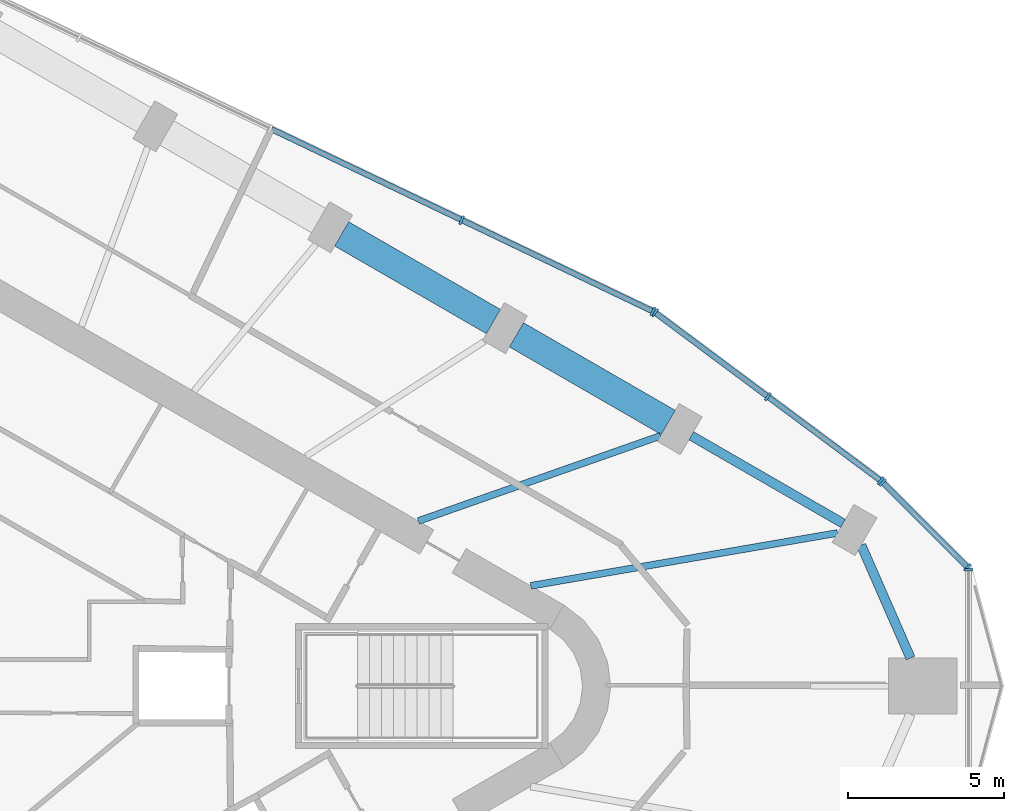
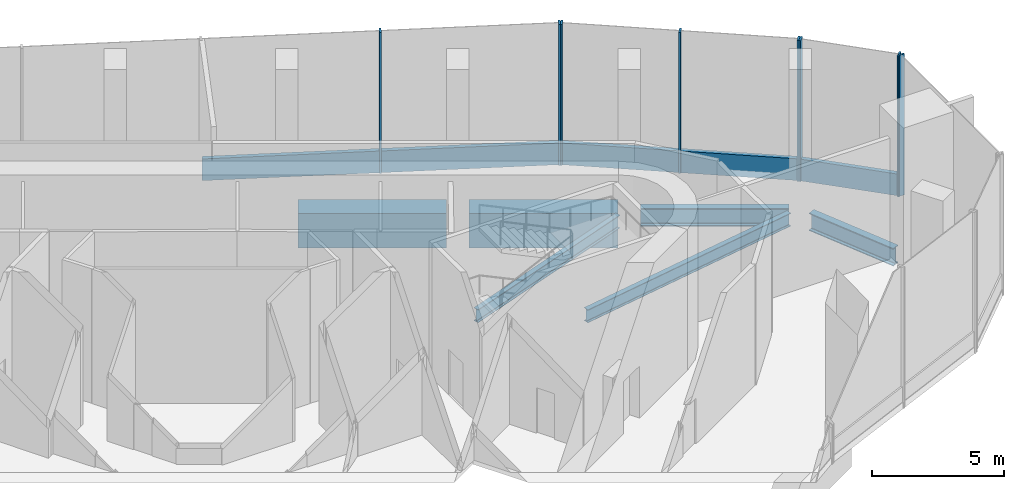
# One storey, part 5 of 13: 13 members, 6 beams, 4 elements without a shape of their own.
"""IFC4 building model written with IfcOpenShell, lengths in metres."""

from ifc_helpers import new_model, si_unit, direction, frame, origin, origin_2d, place, context, subcontext, project, spatial, rectangle, i_section, extrude, material, material_profile, profile_set, type_object, element, aggregate, save


model = new_model("IFC4")

# Units and contexts
model_context = context("Model", 3, precision=1e-05, world=origin(), true_north=direction((0.0, 1.0)))
body_context = subcontext(model_context, "Body", "Model", "MODEL_VIEW")
ifc_project = project(units=[si_unit("LENGTHUNIT", "METRE"), si_unit("AREAUNIT", "SQUARE_METRE"), si_unit("VOLUMEUNIT", "CUBIC_METRE"), si_unit("PLANEANGLEUNIT", "RADIAN"), si_unit("MASSUNIT", "GRAM", prefix="KILO")], contexts=[model_context])

# Site, building, storey
site_placement = place(None, origin())
site = spatial("IfcSite", under=ifc_project, at=site_placement, CompositionType="ELEMENT")
building_placement = place(site_placement, origin())
building = spatial("IfcBuilding", under=site, at=building_placement, Name="Tanit Gate Tower", CompositionType="ELEMENT")
storey_placement = place(building_placement, frame((0.0, 0.0, 398.300048828125)))
storey = spatial("IfcBuildingStorey", under=building, at=storey_placement, Name="L91", CompositionType="ELEMENT", Elevation=398.300048828125)

# Beams
ifc_material_1 = material(Name="Steel S460", Category="steel")
ifc_material_profile_1 = material_profile(ifc_material_1, i_section(OverallWidth=0.302978515625, OverallDepth=0.81396484375, WebThickness=0.02099609375, FlangeThickness=0.0400390625, FilletRadius=0.030029296875, at=origin_2d()), Name="HEM 800")
ifc_profile_set_1 = profile_set([ifc_material_profile_1], Name="Steel S460")
beam_type_1 = type_object("IfcBeamType", Name="BELT TRUSS CHORD HEM 800 S460", PredefinedType="BEAM", material=ifc_profile_set_1)
beam_1_placement = place(storey_placement, frame((30.802001953125, 0.89990234375, -0.70703125), z_axis=(-0.400637057258, 0.916236840752, 0.0), x_axis=(-0.916236840752, -0.400637057258, 0.0)))
element("IfcBeam", 1, at=beam_1_placement, inside=storey, type_object=beam_type_1, Name="BELT TRUSS CHORD", PredefinedType="BEAM", context=body_context, shape_type="SweptSolid", body=[
    extrude(i_section(OverallWidth=0.302978515625, OverallDepth=0.81396484375, WebThickness=0.02099609375, FlangeThickness=0.0400390625, FilletRadius=0.030029296875, at=origin_2d()), origin(), (0.0, 0.0, 1.0), 3.94580078125),
])
beam_2_placement = place(storey_placement, frame((28.6416015625, 5.21142578125, -0.70703125), z_axis=(-0.866032056001, 0.499988477847, 0.0), x_axis=(-0.499988477847, -0.866032056001, 0.0)))
element("IfcBeam", 2, at=beam_2_placement, inside=storey, type_object=beam_type_1, Name="BELT TRUSS CHORD", PredefinedType="BEAM", context=body_context, shape_type="SweptSolid", body=[
    extrude(i_section(OverallWidth=0.302978515625, OverallDepth=0.81396484375, WebThickness=0.02099609375, FlangeThickness=0.0400390625, FilletRadius=0.030029296875, at=origin_2d()), origin(), (0.0, 0.0, 1.0), 5.614013671875),
])

# Curtain wall, members
ifc_material_2 = material(Name="Aluminium bronze anodised and glass", Category="aluminium")
curtain_wall_type = type_object("IfcCurtainWallType", Name="Curtain wall observation", PredefinedType="NOTDEFINED", material=ifc_material_2)
curtain_wall_1_placement = place(storey_placement, origin())
curtain_wall_1 = element("IfcCurtainWall", 3, at=curtain_wall_1_placement, inside=storey, type_object=curtain_wall_type, Name="Curtain wall L91 NE1", PredefinedType="NOTDEFINED")
ifc_material_3 = material(Name="Aluminium bronze anodised", Category="aluminium")
ifc_material_profile_2 = material_profile(ifc_material_3, rectangle(XDim=0.300048828125, YDim=0.080078125, at=origin_2d()), Name="80x300 bronze mullion")
ifc_profile_set_2 = profile_set([ifc_material_profile_2], Name="Aluminium bronze anodised")
member_type_1 = type_object("IfcMemberType", Name="Mullion 80x300 observation", PredefinedType="MULLION", material=ifc_profile_set_2)
member_1_placement = place(storey_placement, frame((29.848876953125, 6.5771484375, -0.300048828125), z_axis=(0.0, 0.0, 1.0), x_axis=(-0.59734052401, -0.801987717098, 0.0)))
member_1 = element("IfcMember", 4, at=member_1_placement, type_object=member_type_1, Name="Mullion L91 NE1.1", PredefinedType="MULLION", context=body_context, shape_type="SweptSolid", body=[
    extrude(rectangle(XDim=0.300048828125, YDim=0.080078125, at=origin_2d()), origin(), (0.0, 0.0, 1.0), 6.5),
])
member_2_placement = place(storey_placement, frame((26.235595703125, 9.2685546875, -0.300048828125), z_axis=(0.0, 0.0, 1.0), x_axis=(-0.59734052401, -0.801987717098, 0.0)))
member_2 = element("IfcMember", 5, at=member_2_placement, type_object=member_type_1, Name="Mullion L91 NE1.2", PredefinedType="MULLION", context=body_context, shape_type="SweptSolid", body=[
    extrude(rectangle(XDim=0.300048828125, YDim=0.080078125, at=origin_2d()), origin(), (0.0, 0.0, 1.0), 6.5),
])
member_3_placement = place(storey_placement, frame((22.622314453125, 11.959716796875, -0.300048828125), z_axis=(0.0, 0.0, 1.0), x_axis=(-0.59734052401, -0.801987717098, 0.0)))
member_3 = element("IfcMember", 6, at=member_3_placement, type_object=member_type_1, Name="Mullion L91 NE1.3", PredefinedType="MULLION", context=body_context, shape_type="SweptSolid", body=[
    extrude(rectangle(XDim=0.300048828125, YDim=0.080078125, at=origin_2d()), origin(), (0.0, 0.0, 1.0), 6.5),
])

curtain_wall_2_placement = place(storey_placement, origin())
curtain_wall_2 = element("IfcCurtainWall", 7, at=curtain_wall_2_placement, inside=storey, type_object=curtain_wall_type, Name="Curtain wall L91 NE2", PredefinedType="NOTDEFINED")
member_4_placement = place(storey_placement, frame((22.55419921875, 12.0009765625, -0.300048828125), z_axis=(0.0, 0.0, 1.0), x_axis=(-0.431072811819, -0.902317145415, 0.0)))
member_4 = element("IfcMember", 8, at=member_4_placement, type_object=member_type_1, Name="Mullion L91 NE2.1", PredefinedType="MULLION", context=body_context, shape_type="SweptSolid", body=[
    extrude(rectangle(XDim=0.300048828125, YDim=0.080078125, at=origin_2d()), origin(), (0.0, 0.0, 1.0), 6.5),
])
member_5_placement = place(storey_placement, frame((16.429443359375, 14.927001953125, -0.300048828125), z_axis=(0.0, 0.0, 1.0), x_axis=(-0.431072811819, -0.902317145415, 0.0)))
member_5 = element("IfcMember", 9, at=member_5_placement, type_object=member_type_1, Name="Mullion L91 NE2.2", PredefinedType="MULLION", context=body_context, shape_type="SweptSolid", body=[
    extrude(rectangle(XDim=0.300048828125, YDim=0.080078125, at=origin_2d()), origin(), (0.0, 0.0, 1.0), 6.5),
])

# Curtain wall, member
curtain_wall_3_placement = place(storey_placement, origin())
curtain_wall_3 = element("IfcCurtainWall", 10, at=curtain_wall_3_placement, inside=storey, type_object=curtain_wall_type, Name="Curtain wall L91 E.arc2", PredefinedType="NOTDEFINED")
member_6_placement = place(storey_placement, frame((32.66015625, 3.73388671875, -0.300048828125), z_axis=(0.0, 0.0, 1.0), x_axis=(-1.0, 0.0, 0.0)))
member_6 = element("IfcMember", 11, at=member_6_placement, type_object=member_type_1, Name="Mullion L91 E.arc2.2", PredefinedType="MULLION", context=body_context, shape_type="SweptSolid", body=[
    extrude(rectangle(XDim=0.300048828125, YDim=0.080078125, at=origin_2d()), origin(), (0.0, 0.0, 1.0), 6.5),
])
aggregate(curtain_wall_3, [member_6])

# Curtain wall, members
curtain_wall_4_placement = place(storey_placement, origin())
curtain_wall_4 = element("IfcCurtainWall", 12, at=curtain_wall_4_placement, inside=storey, type_object=curtain_wall_type, Name="Curtain wall L91 E.arc3", PredefinedType="NOTDEFINED")
member_7_placement = place(storey_placement, frame((32.632080078125, 3.80224609375, -0.300048828125), z_axis=(0.0, 0.0, 1.0), x_axis=(-0.707106781187, -0.707106781187, 0.0)))
member_7 = element("IfcMember", 13, at=member_7_placement, type_object=member_type_1, Name="Mullion L91 E.arc3.1", PredefinedType="MULLION", context=body_context, shape_type="SweptSolid", body=[
    extrude(rectangle(XDim=0.300048828125, YDim=0.080078125, at=origin_2d()), origin(), (0.0, 0.0, 1.0), 6.5),
])
member_8_placement = place(storey_placement, frame((29.9091796875, 6.52490234375, -0.300048828125), z_axis=(0.0, 0.0, 1.0), x_axis=(-0.707106781187, -0.707106781187, 0.0)))
member_8 = element("IfcMember", 14, at=member_8_placement, type_object=member_type_1, Name="Mullion L91 E.arc3.2", PredefinedType="MULLION", context=body_context, shape_type="SweptSolid", body=[
    extrude(rectangle(XDim=0.300048828125, YDim=0.080078125, at=origin_2d()), origin(), (0.0, 0.0, 1.0), 6.5),
])

# Beams
ifc_material_4 = material(Name="Steel S355", Category="steel")
ifc_material_profile_3 = material_profile(ifc_material_4, i_section(OverallWidth=0.219970703125, OverallDepth=0.60009765625, WebThickness=0.011962890625, FlangeThickness=0.01904296875, FilletRadius=0.02392578125, at=origin_2d()), Name="IPE 600")
ifc_profile_set_3 = profile_set([ifc_material_profile_3], Name="Steel S355")
beam_type_2 = type_object("IfcBeamType", Name="RADIAL GIRDER IPE 600 S355", PredefinedType="BEAM", material=ifc_profile_set_3)
beam_3_placement = place(storey_placement, frame((28.464599609375, 4.905029296875, -0.60009765625), z_axis=(-0.985476230571, -0.169813424025, 0.0), x_axis=(0.169813424025, -0.985476230571, 0.0)))
element("IfcBeam", 15, at=beam_3_placement, inside=storey, type_object=beam_type_2, Name="RADIAL GIRDER", PredefinedType="BEAM", context=body_context, shape_type="SweptSolid", body=[
    extrude(i_section(OverallWidth=0.219970703125, OverallDepth=0.60009765625, WebThickness=0.011962890625, FlangeThickness=0.01904296875, FilletRadius=0.02392578125, at=origin_2d()), origin(), (0.0, 0.0, 1.0), 9.968994140625),
])
beam_4_placement = place(storey_placement, frame((22.7958984375, 8.014404296875, -0.60009765625), z_axis=(-0.943393322565, -0.331676105471, 0.0), x_axis=(0.331676105471, -0.943393322565, 0.0)))
element("IfcBeam", 16, at=beam_4_placement, inside=storey, type_object=beam_type_2, Name="RADIAL GIRDER", PredefinedType="BEAM", context=body_context, shape_type="SweptSolid", body=[
    extrude(i_section(OverallWidth=0.219970703125, OverallDepth=0.60009765625, WebThickness=0.011962890625, FlangeThickness=0.01904296875, FilletRadius=0.02392578125, at=origin_2d()), origin(), (0.0, 0.0, 1.0), 8.217529296875),
])
ifc_material_5 = material(Name="Concrete C60/75", Category="concrete")
ifc_material_profile_4 = material_profile(ifc_material_5, rectangle(XDim=0.89990234375, YDim=1.60009765625, at=origin_2d()), Name="RC 900x1600")
ifc_profile_set_4 = profile_set([ifc_material_profile_4], Name="Concrete C60/75")
beam_type_3 = type_object("IfcBeamType", Name="TRANSFER GIRDER 900x1600 C60/75", PredefinedType="USERDEFINED", material=ifc_profile_set_4)
for number, where, z_axis, x_axis, name in (
    (17, (23.043701171875, 8.443359375, -1.10009765625), (-0.866032056001, 0.499988477847, 0.0), (-0.499988477847, -0.866032056001, 0.0), "TRANSFER GIRDER"),
    (18, (17.44580078125, 11.67529296875, -1.10009765625), (-0.866032056001, 0.499988477847, 0.0), (-0.499988477847, -0.866032056001, 0.0), "TRANSFER GIRDER"),
):
    element("IfcBeam", number, at=place(storey_placement, frame(where, z_axis=z_axis, x_axis=x_axis)), inside=storey, type_object=beam_type_3, Name=name, ObjectType="GIRDER", PredefinedType="USERDEFINED", context=body_context, shape_type="SweptSolid", body=[
        extrude(rectangle(XDim=0.89990234375, YDim=1.60009765625, at=origin_2d()), origin(), (0.0, 0.0, 1.0), 5.614013671875),
    ])

# Member
ifc_material_6 = material(Name="Aluminium bronze anodised", Category="aluminium")
ifc_material_profile_5 = material_profile(ifc_material_6, rectangle(XDim=0.179931640625, YDim=1.0, at=origin_2d()), Name="180x1000 bronze transom")
ifc_profile_set_5 = profile_set([ifc_material_profile_5], Name="Aluminium bronze anodised")
member_type_2 = type_object("IfcMemberType", Name="Transom 180x1000 observation", PredefinedType="USERDEFINED", material=ifc_profile_set_5)
member_9_placement = place(storey_placement, frame((29.81689453125, 6.60107421875, 0.199951171875), z_axis=(-0.801994753638, 0.597331076654, 0.0), x_axis=(-0.597331076654, -0.801994753638, 0.0)))
member_9 = element("IfcMember", 19, at=member_9_placement, type_object=member_type_2, Name="Transom L91 NE1.1", ObjectType="TRANSOM", PredefinedType="USERDEFINED", context=body_context, shape_type="SweptSolid", body=[
    extrude(rectangle(XDim=0.179931640625, YDim=1.0, at=origin_2d()), origin(), (0.0, 0.0, 1.0), 4.425537109375),
])

member_10_placement = place(storey_placement, frame((26.20361328125, 9.292236328125, 0.199951171875), z_axis=(-0.801994753638, 0.597331076654, 0.0), x_axis=(-0.597331076654, -0.801994753638, 0.0)))
member_10 = element("IfcMember", 20, at=member_10_placement, type_object=member_type_2, Name="Transom L91 NE1.2", ObjectType="TRANSOM", PredefinedType="USERDEFINED", context=body_context, shape_type="SweptSolid", body=[
    extrude(rectangle(XDim=0.179931640625, YDim=1.0, at=origin_2d()), origin(), (0.0, 0.0, 1.0), 4.425537109375),
])

aggregate(curtain_wall_1, [member_1, member_2, member_3, member_9, member_10])

member_11_placement = place(storey_placement, frame((22.51806640625, 12.01806640625, 0.199951171875), z_axis=(-0.902312153024, 0.431083261685, 0.0), x_axis=(-0.431083261685, -0.902312153024, 0.0)))
member_11 = element("IfcMember", 21, at=member_11_placement, type_object=member_type_2, Name="Transom L91 NE2.1", ObjectType="TRANSOM", PredefinedType="USERDEFINED", context=body_context, shape_type="SweptSolid", body=[
    extrude(rectangle(XDim=0.179931640625, YDim=1.0, at=origin_2d()), origin(), (0.0, 0.0, 1.0), 6.707763671875),
])

member_12_placement = place(storey_placement, frame((16.393310546875, 14.944091796875, 0.199951171875), z_axis=(-0.902312153024, 0.431083261685, 0.0), x_axis=(-0.431083261685, -0.902312153024, 0.0)))
member_12 = element("IfcMember", 22, at=member_12_placement, type_object=member_type_2, Name="Transom L91 NE2.2", ObjectType="TRANSOM", PredefinedType="USERDEFINED", context=body_context, shape_type="SweptSolid", body=[
    extrude(rectangle(XDim=0.179931640625, YDim=1.0, at=origin_2d()), origin(), (0.0, 0.0, 1.0), 6.707763671875),
])

aggregate(curtain_wall_2, [member_4, member_5, member_11, member_12])

member_13_placement = place(storey_placement, frame((32.603759765625, 3.83056640625, 0.199951171875), z_axis=(-0.707106781187, 0.707106781187, 0.0), x_axis=(-0.707106781187, -0.707106781187, 0.0)))
member_13 = element("IfcMember", 23, at=member_13_placement, type_object=member_type_2, Name="Transom L91 E.arc3.1", ObjectType="TRANSOM", PredefinedType="USERDEFINED", context=body_context, shape_type="SweptSolid", body=[
    extrude(rectangle(XDim=0.179931640625, YDim=1.0, at=origin_2d()), origin(), (0.0, 0.0, 1.0), 3.770751953125),
])

aggregate(curtain_wall_4, [member_7, member_8, member_13])

save(model, "model.ifc")
